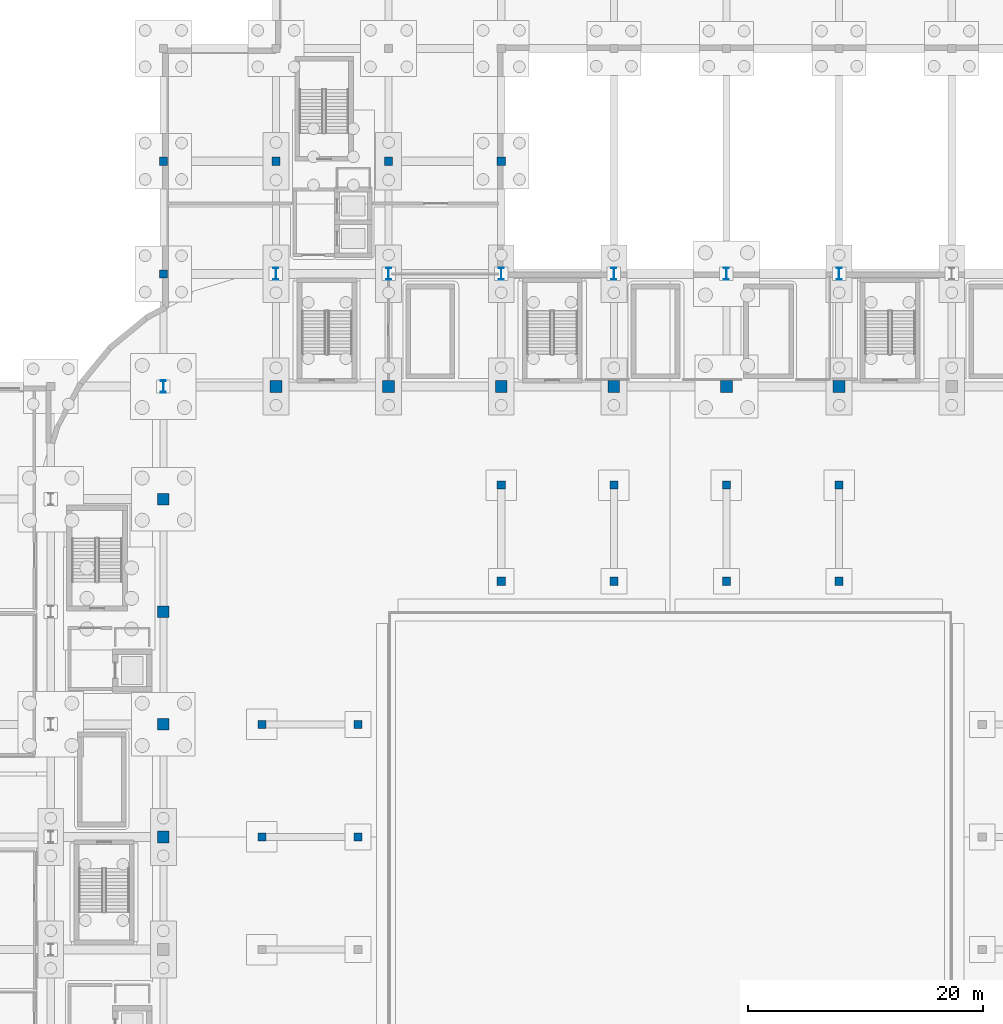
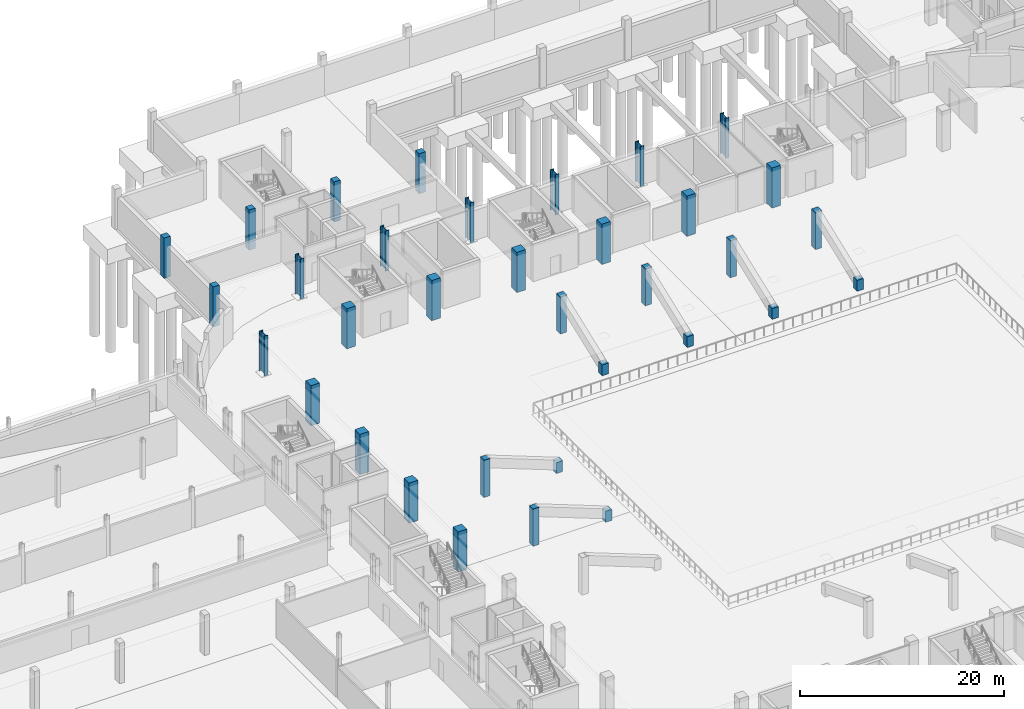
# One storey, part 19 of 67: 34 columns.
"""IFC4 building model written with IfcOpenShell, lengths in metres."""

from ifc_helpers import new_model, si_unit, direction, frame, origin, origin_2d, place, context, subcontext, project, spatial, rectangle, i_section, extrude, material, material_profile, profile_set, type_object, element, save


model = new_model("IFC4")

# Units and contexts
model_context = context("Model", 3, precision=1e-05, world=origin(), true_north=direction((0.0, 1.0)))
body_context = subcontext(model_context, "Body", "Model", "MODEL_VIEW")
ifc_project = project(units=[si_unit("LENGTHUNIT", "METRE"), si_unit("AREAUNIT", "SQUARE_METRE"), si_unit("VOLUMEUNIT", "CUBIC_METRE"), si_unit("PLANEANGLEUNIT", "RADIAN"), si_unit("MASSUNIT", "GRAM", prefix="KILO")], contexts=[model_context])

# Site, building, storey
site_placement = place(None, origin())
site = spatial("IfcSite", under=ifc_project, at=site_placement, CompositionType="ELEMENT")
building_placement = place(site_placement, origin())
building = spatial("IfcBuilding", under=site, at=building_placement, Name="Caelomonte Colonnade Arena", CompositionType="ELEMENT")
storey_placement = place(building_placement, frame((0.0, 0.0, -4.800048828125)))
storey = spatial("IfcBuildingStorey", under=building, at=storey_placement, Name="B1", CompositionType="ELEMENT", Elevation=-4.800048828125)

# Columns
ifc_material_1 = material(Name="Concrete C40/50", Category="concrete")
ifc_material_profile_1 = material_profile(ifc_material_1, rectangle(XDim=0.699951171875, YDim=0.699951171875, at=origin_2d()), Name="RC700X700")
ifc_profile_set_1 = profile_set([ifc_material_profile_1], Name="Concrete C40/50")
column_type_1 = type_object("IfcColumnType", Name="STR-COL-RC07", PredefinedType="COLUMN", material=ifc_profile_set_1)
for number, where, z_axis, x_axis, name in (
    (1, (67.199951171875, 115.199951171875, 0.0), (0.0, 0.0, 1.0), (1.0, 0.0, 0.0), "B1 column (67.2, 115.2)"),
    (2, (67.199951171875, 124.800048828125, 0.0), (0.0, 0.0, 1.0), (1.0, 0.0, 0.0), "B1 column (67.2, 124.8)"),
    (3, (76.800048828125, 124.800048828125, 0.0), (0.0, 0.0, 1.0), (1.0, 0.0, 0.0), "B1 column (76.8, 124.8)"),
    (4, (86.39990234375, 124.800048828125, 0.0), (0.0, 0.0, 1.0), (1.0, 0.0, 0.0), "B1 column (86.4, 124.8)"),
    (5, (96.0, 124.800048828125, 0.0), (0.0, 0.0, 1.0), (1.0, 0.0, 0.0), "B1 column (96.0, 124.8)"),
):
    element("IfcColumn", number, at=place(storey_placement, frame(where, z_axis=z_axis, x_axis=x_axis)), inside=storey, type_object=column_type_1, Name=name, PredefinedType="COLUMN", context=body_context, shape_type="SweptSolid", body=[
        extrude(rectangle(XDim=0.699951171875, YDim=0.699951171875, at=origin_2d()), origin(), (0.0, 0.0, 1.0), 4.800048828125),
    ])
column_1_placement = place(storey_placement, frame((96.0, 89.0, 0.0), z_axis=(0.0, 0.0, 1.0), x_axis=(1.0, 0.0, 0.0)))
element("IfcColumn", 6, at=column_1_placement, inside=storey, type_object=column_type_1, Name="Lower raker inner pier N-96", PredefinedType="COLUMN", context=body_context, shape_type="SweptSolid", body=[
    extrude(rectangle(XDim=0.699951171875, YDim=0.699951171875, at=origin_2d()), origin(), (0.0, 0.0, 1.0), 1.300048828125),
])
column_2_placement = place(storey_placement, frame((96.0, 97.199951171875, 0.0), z_axis=(0.0, 0.0, 1.0), x_axis=(1.0, 0.0, 0.0)))
element("IfcColumn", 7, at=column_2_placement, inside=storey, type_object=column_type_1, Name="Lower raker mid pier N-96", PredefinedType="COLUMN", context=body_context, shape_type="SweptSolid", body=[
    extrude(rectangle(XDim=0.699951171875, YDim=0.699951171875, at=origin_2d()), origin(), (0.0, 0.0, 1.0), 4.449951171875),
])
column_3_placement = place(storey_placement, frame((105.60009765625, 89.0, 0.0), z_axis=(0.0, 0.0, 1.0), x_axis=(1.0, 0.0, 0.0)))
element("IfcColumn", 8, at=column_3_placement, inside=storey, type_object=column_type_1, Name="Lower raker inner pier N-105", PredefinedType="COLUMN", context=body_context, shape_type="SweptSolid", body=[
    extrude(rectangle(XDim=0.699951171875, YDim=0.699951171875, at=origin_2d()), origin(), (0.0, 0.0, 1.0), 1.300048828125),
])
column_4_placement = place(storey_placement, frame((105.60009765625, 97.199951171875, 0.0), z_axis=(0.0, 0.0, 1.0), x_axis=(1.0, 0.0, 0.0)))
element("IfcColumn", 9, at=column_4_placement, inside=storey, type_object=column_type_1, Name="Lower raker mid pier N-105", PredefinedType="COLUMN", context=body_context, shape_type="SweptSolid", body=[
    extrude(rectangle(XDim=0.699951171875, YDim=0.699951171875, at=origin_2d()), origin(), (0.0, 0.0, 1.0), 4.449951171875),
])
column_5_placement = place(storey_placement, frame((115.199951171875, 89.0, 0.0), z_axis=(0.0, 0.0, 1.0), x_axis=(1.0, 0.0, 0.0)))
element("IfcColumn", 10, at=column_5_placement, inside=storey, type_object=column_type_1, Name="Lower raker inner pier N-115", PredefinedType="COLUMN", context=body_context, shape_type="SweptSolid", body=[
    extrude(rectangle(XDim=0.699951171875, YDim=0.699951171875, at=origin_2d()), origin(), (0.0, 0.0, 1.0), 1.300048828125),
])
column_6_placement = place(storey_placement, frame((115.199951171875, 97.199951171875, 0.0), z_axis=(0.0, 0.0, 1.0), x_axis=(1.0, 0.0, 0.0)))
element("IfcColumn", 11, at=column_6_placement, inside=storey, type_object=column_type_1, Name="Lower raker mid pier N-115", PredefinedType="COLUMN", context=body_context, shape_type="SweptSolid", body=[
    extrude(rectangle(XDim=0.699951171875, YDim=0.699951171875, at=origin_2d()), origin(), (0.0, 0.0, 1.0), 4.449951171875),
])
column_7_placement = place(storey_placement, frame((124.800048828125, 89.0, 0.0), z_axis=(0.0, 0.0, 1.0), x_axis=(1.0, 0.0, 0.0)))
element("IfcColumn", 12, at=column_7_placement, inside=storey, type_object=column_type_1, Name="Lower raker inner pier N-124", PredefinedType="COLUMN", context=body_context, shape_type="SweptSolid", body=[
    extrude(rectangle(XDim=0.699951171875, YDim=0.699951171875, at=origin_2d()), origin(), (0.0, 0.0, 1.0), 1.300048828125),
])
column_8_placement = place(storey_placement, frame((124.800048828125, 97.199951171875, 0.0), z_axis=(0.0, 0.0, 1.0), x_axis=(1.0, 0.0, 0.0)))
element("IfcColumn", 13, at=column_8_placement, inside=storey, type_object=column_type_1, Name="Lower raker mid pier N-124", PredefinedType="COLUMN", context=body_context, shape_type="SweptSolid", body=[
    extrude(rectangle(XDim=0.699951171875, YDim=0.699951171875, at=origin_2d()), origin(), (0.0, 0.0, 1.0), 4.449951171875),
])
column_9_placement = place(storey_placement, frame((83.800048828125, 67.199951171875, 0.0), z_axis=(0.0, 0.0, 1.0), x_axis=(1.0, 0.0, 0.0)))
element("IfcColumn", 14, at=column_9_placement, inside=storey, type_object=column_type_1, Name="Lower raker inner pier W-67", PredefinedType="COLUMN", context=body_context, shape_type="SweptSolid", body=[
    extrude(rectangle(XDim=0.699951171875, YDim=0.699951171875, at=origin_2d()), origin(), (0.0, 0.0, 1.0), 1.300048828125),
])
column_10_placement = place(storey_placement, frame((75.60009765625, 67.199951171875, 0.0), z_axis=(0.0, 0.0, 1.0), x_axis=(1.0, 0.0, 0.0)))
element("IfcColumn", 15, at=column_10_placement, inside=storey, type_object=column_type_1, Name="Lower raker mid pier W-67", PredefinedType="COLUMN", context=body_context, shape_type="SweptSolid", body=[
    extrude(rectangle(XDim=0.699951171875, YDim=0.699951171875, at=origin_2d()), origin(), (0.0, 0.0, 1.0), 4.449951171875),
])
column_11_placement = place(storey_placement, frame((83.800048828125, 76.800048828125, 0.0), z_axis=(0.0, 0.0, 1.0), x_axis=(1.0, 0.0, 0.0)))
element("IfcColumn", 16, at=column_11_placement, inside=storey, type_object=column_type_1, Name="Lower raker inner pier W-76", PredefinedType="COLUMN", context=body_context, shape_type="SweptSolid", body=[
    extrude(rectangle(XDim=0.699951171875, YDim=0.699951171875, at=origin_2d()), origin(), (0.0, 0.0, 1.0), 1.300048828125),
])
column_12_placement = place(storey_placement, frame((75.60009765625, 76.800048828125, 0.0), z_axis=(0.0, 0.0, 1.0), x_axis=(1.0, 0.0, 0.0)))
element("IfcColumn", 17, at=column_12_placement, inside=storey, type_object=column_type_1, Name="Lower raker mid pier W-76", PredefinedType="COLUMN", context=body_context, shape_type="SweptSolid", body=[
    extrude(rectangle(XDim=0.699951171875, YDim=0.699951171875, at=origin_2d()), origin(), (0.0, 0.0, 1.0), 4.449951171875),
])
ifc_material_2 = material(Name="Concrete C50/60", Category="concrete")
ifc_material_profile_2 = material_profile(ifc_material_2, rectangle(XDim=1.0, YDim=1.0, at=origin_2d()), Name="RC1000X1000")
ifc_profile_set_2 = profile_set([ifc_material_profile_2], Name="Concrete C50/60")
column_type_2 = type_object("IfcColumnType", Name="STR-COL-RC10", PredefinedType="COLUMN", material=ifc_profile_set_2)
for number, where, z_axis, x_axis, name in (
    (18, (67.199951171875, 67.199951171875, 0.0), (0.0, 0.0, 1.0), (1.0, 0.0, 0.0), "B1 column (67.2, 67.2)"),
    (19, (67.199951171875, 76.800048828125, 0.0), (0.0, 0.0, 1.0), (1.0, 0.0, 0.0), "B1 column (67.2, 76.8)"),
    (20, (67.199951171875, 86.39990234375, 0.0), (0.0, 0.0, 1.0), (1.0, 0.0, 0.0), "B1 column (67.2, 86.4)"),
    (21, (67.199951171875, 96.0, 0.0), (0.0, 0.0, 1.0), (1.0, 0.0, 0.0), "B1 column (67.2, 96.0)"),
    (22, (76.800048828125, 105.60009765625, 0.0), (0.0, 0.0, 1.0), (1.0, 0.0, 0.0), "B1 column (76.8, 105.6)"),
    (23, (86.39990234375, 105.60009765625, 0.0), (0.0, 0.0, 1.0), (1.0, 0.0, 0.0), "B1 column (86.4, 105.6)"),
    (24, (96.0, 105.60009765625, 0.0), (0.0, 0.0, 1.0), (1.0, 0.0, 0.0), "B1 column (96.0, 105.6)"),
    (25, (105.60009765625, 105.60009765625, 0.0), (0.0, 0.0, 1.0), (1.0, 0.0, 0.0), "B1 column (105.6, 105.6)"),
    (26, (115.199951171875, 105.60009765625, 0.0), (0.0, 0.0, 1.0), (1.0, 0.0, 0.0), "B1 column (115.2, 105.6)"),
    (27, (124.800048828125, 105.60009765625, 0.0), (0.0, 0.0, 1.0), (1.0, 0.0, 0.0), "B1 column (124.8, 105.6)"),
):
    element("IfcColumn", number, at=place(storey_placement, frame(where, z_axis=z_axis, x_axis=x_axis)), inside=storey, type_object=column_type_2, Name=name, PredefinedType="COLUMN", context=body_context, shape_type="SweptSolid", body=[
        extrude(rectangle(XDim=1.0, YDim=1.0, at=origin_2d()), origin(), (0.0, 0.0, 1.0), 4.800048828125),
    ])
ifc_material_3 = material(Name="Wide-flange steel ASTM A992 Grade 50", Category="steel")
ifc_material_profile_3 = material_profile(ifc_material_3, i_section(OverallWidth=0.427001953125, OverallDepth=1.04150390625, WebThickness=0.031005859375, FlangeThickness=0.055908203125, FilletRadius=0.030517578125, at=origin_2d()), Name="W40X397")
ifc_profile_set_3 = profile_set([ifc_material_profile_3], Name="Wide-flange steel ASTM A992 Grade 50")
column_type_3 = type_object("IfcColumnType", Name="STR-COL-W40A", PredefinedType="COLUMN", material=ifc_profile_set_3)
for number, where, z_axis, x_axis, name in (
    (28, (67.199951171875, 105.60009765625, 0.0), (0.0, 0.0, 1.0), (1.0, 0.0, 0.0), "B1 column (67.2, 105.6)"),
    (29, (76.800048828125, 115.199951171875, 0.0), (0.0, 0.0, 1.0), (1.0, 0.0, 0.0), "B1 column (76.8, 115.2)"),
    (30, (86.39990234375, 115.199951171875, 0.0), (0.0, 0.0, 1.0), (1.0, 0.0, 0.0), "B1 column (86.4, 115.2)"),
    (31, (96.0, 115.199951171875, 0.0), (0.0, 0.0, 1.0), (1.0, 0.0, 0.0), "B1 column (96.0, 115.2)"),
    (32, (105.60009765625, 115.199951171875, 0.0), (0.0, 0.0, 1.0), (1.0, 0.0, 0.0), "B1 column (105.6, 115.2)"),
    (33, (115.199951171875, 115.199951171875, 0.0), (0.0, 0.0, 1.0), (1.0, 0.0, 0.0), "B1 column (115.2, 115.2)"),
    (34, (124.800048828125, 115.199951171875, 0.0), (0.0, 0.0, 1.0), (1.0, 0.0, 0.0), "B1 column (124.8, 115.2)"),
):
    element("IfcColumn", number, at=place(storey_placement, frame(where, z_axis=z_axis, x_axis=x_axis)), inside=storey, type_object=column_type_3, Name=name, PredefinedType="COLUMN", context=body_context, shape_type="SweptSolid", body=[
        extrude(i_section(OverallWidth=0.427001953125, OverallDepth=1.04150390625, WebThickness=0.031005859375, FlangeThickness=0.055908203125, FilletRadius=0.030517578125, at=origin_2d()), origin(), (0.0, 0.0, 1.0), 4.800048828125),
    ])

save(model, "model.ifc")
